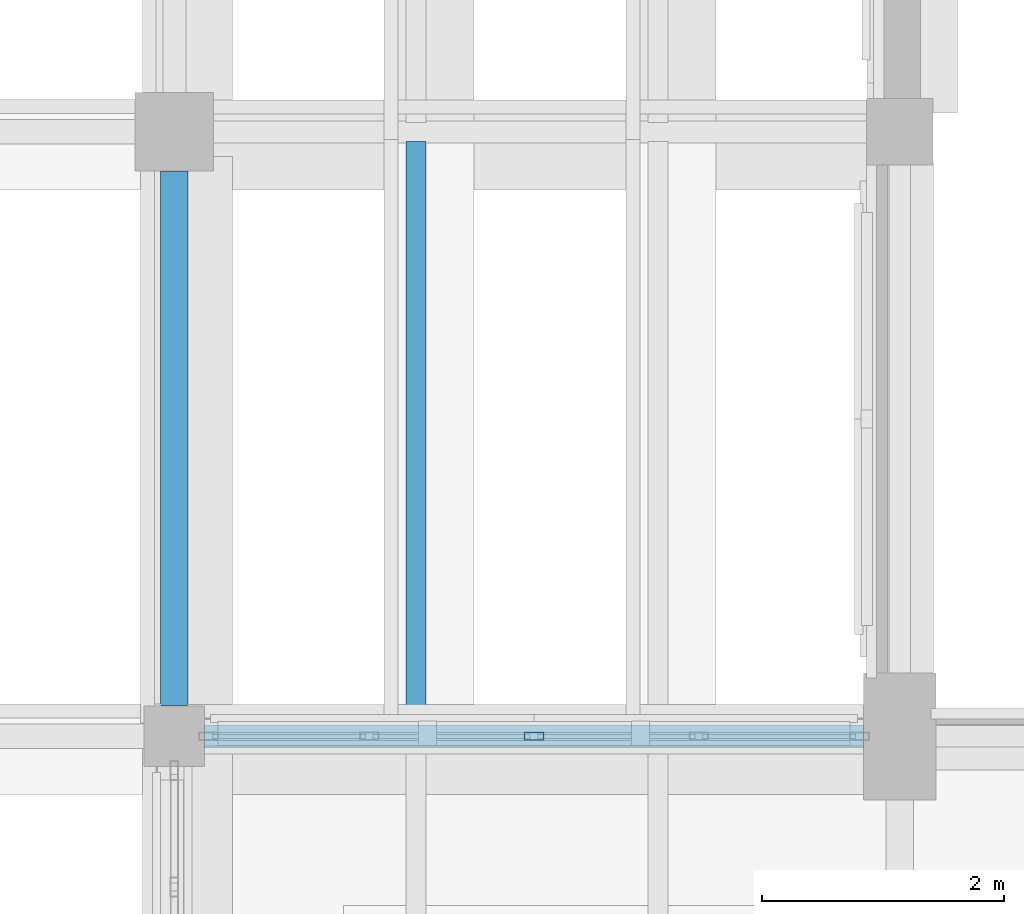
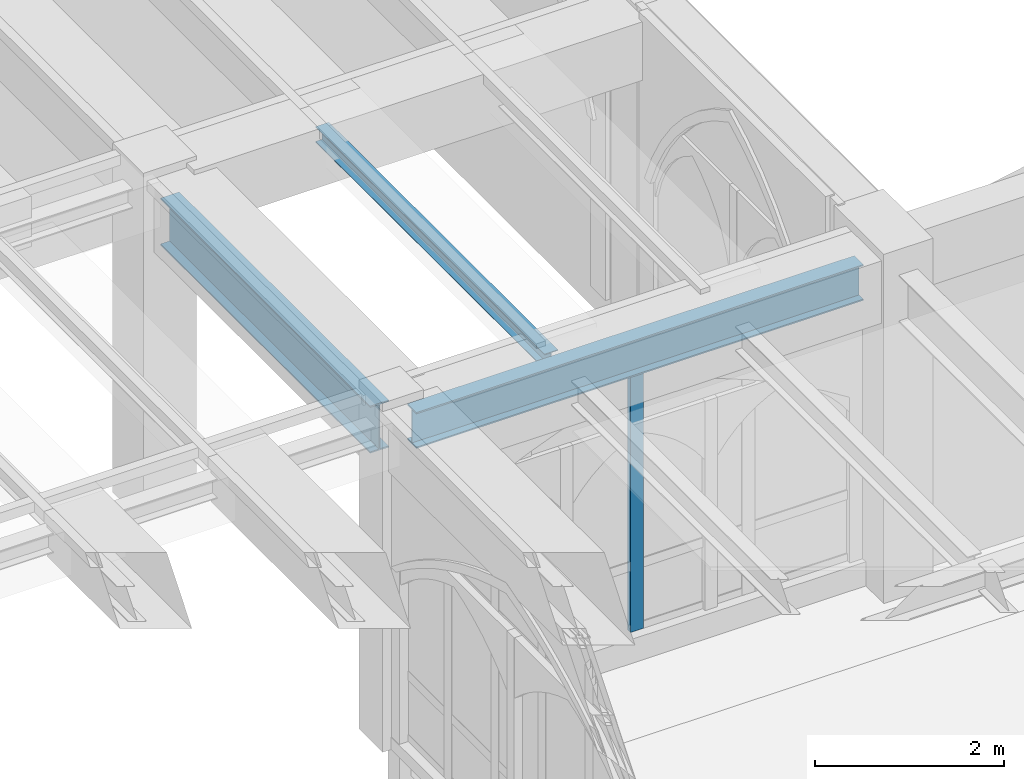
# One storey, part 34 of 127: 3 beams, 1 member, 1 element without a shape of its own.
"""IFC4 building model written with IfcOpenShell, lengths in metres."""

from ifc_helpers import new_model, si_unit, direction, frame, origin, origin_2d, place, context, subcontext, project, spatial, hollow_rectangle, i_section, extrude, material, layer, layer_set, material_profile, profile_set, type_object, element, aggregate, save


model = new_model("IFC4")

# Units and contexts
model_context = context("Model", 3, precision=1e-05, world=origin(), true_north=direction((0.0, 1.0)))
body_context = subcontext(model_context, "Body", "Model", "MODEL_VIEW")
ifc_project = project(units=[si_unit("LENGTHUNIT", "METRE"), si_unit("AREAUNIT", "SQUARE_METRE"), si_unit("VOLUMEUNIT", "CUBIC_METRE"), si_unit("PLANEANGLEUNIT", "RADIAN"), si_unit("MASSUNIT", "GRAM", prefix="KILO")], contexts=[model_context])

# Site, building, storey
site_placement = place(None, origin())
site = spatial("IfcSite", under=ifc_project, at=site_placement, CompositionType="ELEMENT")
building_placement = place(site_placement, origin())
building = spatial("IfcBuilding", under=site, at=building_placement, Name="Cumevento Cable Car Station", CompositionType="ELEMENT")
storey_placement = place(building_placement, frame((0.0, 0.0, 4.5)))
storey = spatial("IfcBuildingStorey", under=building, at=storey_placement, Name="L02", CompositionType="ELEMENT", Elevation=4.5)

# Curtain wall, member
ifc_material_1 = material(Name="Anodised Bronze Aluminium AW-6063-T6", Category="aluminium")
ifc_layer = layer(ifc_material_1, 0.22607421875)
ifc_layer_set = layer_set([ifc_layer], Name="Anodised Bronze Aluminium AW-6063-T6")
curtain_wall_type = type_object("IfcCurtainWallType", Name="Lancet Curtain Wall CW-12 1490", PredefinedType="NOTDEFINED", material=ifc_layer_set)
curtain_wall_placement = place(storey_placement, origin())
curtain_wall = element("IfcCurtainWall", 1, at=curtain_wall_placement, inside=storey, type_object=curtain_wall_type, Name="Lancet Curtain Wall CW-12 L02 #59", PredefinedType="NOTDEFINED")
ifc_material_2 = material(Name="Anodised Bronze Aluminium AW-6063-T6", Category="aluminium")
ifc_material_profile_1 = material_profile(ifc_material_2, hollow_rectangle(XDim=0.06494140625, YDim=0.159912109375, WallThickness=0.00390625, at=origin_2d()), Name="ALUM65x160x4")
ifc_profile_set_1 = profile_set([ifc_material_profile_1], Name="Anodised Bronze Aluminium AW-6063-T6")
member_type = type_object("IfcMemberType", Name="Curtain Mullion CWM-01 ALUM65x160x4", PredefinedType="MULLION", material=ifc_profile_set_1)
member_placement = place(storey_placement, frame((66.97509765625, 56.5, 0.31005859375), z_axis=(0.0, 0.0, 1.0), x_axis=(0.0, 1.0, 0.0)))
member = element("IfcMember", 2, at=member_placement, type_object=member_type, Name="CW-12 mullion 3", PredefinedType="MULLION", context=body_context, shape_type="SweptSolid", body=[
    extrude(hollow_rectangle(XDim=0.06494140625, YDim=0.159912109375, WallThickness=0.00390625, at=origin_2d()), origin(), (0.0, 0.0, 1.0), 3.3369140625),
])
aggregate(curtain_wall, [member])

# Beams
ifc_material_3 = material(Name="Steel ASTM A572 Grade 50", Category="steel")
ifc_material_profile_2 = material_profile(ifc_material_3, i_section(OverallWidth=0.22802734375, OverallDepth=0.60791015625, WebThickness=0.01123046875, FlangeThickness=0.017333984375, at=origin_2d()), Name="W610x113.0")
ifc_profile_set_2 = profile_set([ifc_material_profile_2], Name="Steel ASTM A572 Grade 50")
beam_type_1 = type_object("IfcBeamType", Name="Structural Beam BM-02 W610x113.0", PredefinedType="BEAM", material=ifc_profile_set_2)
beam_1_placement = place(storey_placement, frame((64.0, 56.75, 3.805908203125), z_axis=(0.0, 1.0, 0.0), x_axis=(-1.0, 0.0, 0.0)))
element("IfcBeam", 3, at=beam_1_placement, inside=storey, type_object=beam_type_1, Name="Beam BM-02 L02 #646", PredefinedType="BEAM", context=body_context, shape_type="SweptSolid", body=[
    extrude(i_section(OverallWidth=0.22802734375, OverallDepth=0.60791015625, WebThickness=0.01123046875, FlangeThickness=0.017333984375, at=origin_2d()), origin(), (0.0, 0.0, 1.0), 4.425048828125),
])
ifc_material_4 = material(Name="Steel ASTM A572 Grade 50", Category="steel")
ifc_material_profile_3 = material_profile(ifc_material_4, i_section(OverallWidth=0.19189453125, OverallDepth=0.462890625, WebThickness=0.010498046875, FlangeThickness=0.017578125, at=origin_2d()), Name="W460x89.0")
ifc_profile_set_3 = profile_set([ifc_material_profile_3], Name="Steel ASTM A572 Grade 50")
beam_type_2 = type_object("IfcBeamType", Name="Structural Beam BM-10 W460x89.0", PredefinedType="BEAM", material=ifc_profile_set_3)
beam_2_placement = place(storey_placement, frame((64.25, 56.5, 3.87841796875), z_axis=(1.0, 0.0, 0.0), x_axis=(0.0, 1.0, 0.0)))
element("IfcBeam", 4, at=beam_2_placement, inside=storey, type_object=beam_type_2, Name="Beam BM-10 L02 #599", PredefinedType="BEAM", context=body_context, shape_type="SweptSolid", body=[
    extrude(i_section(OverallWidth=0.19189453125, OverallDepth=0.462890625, WebThickness=0.010498046875, FlangeThickness=0.017578125, at=origin_2d()), origin(), (0.0, 0.0, 1.0), 5.449951171875),
])
ifc_material_5 = material(Name="Steel ASTM A572 Grade 50", Category="steel")
ifc_material_profile_4 = material_profile(ifc_material_5, i_section(OverallWidth=0.1650390625, OverallDepth=0.200927734375, WebThickness=0.006103515625, FlangeThickness=0.01025390625, at=origin_2d()), Name="W200x35.9")
ifc_profile_set_4 = profile_set([ifc_material_profile_4], Name="Steel ASTM A572 Grade 50")
beam_type_3 = type_object("IfcBeamType", Name="Structural Joist JS-04 W200x35.9", PredefinedType="JOIST", material=ifc_profile_set_4)
beam_3_placement = place(storey_placement, frame((66.0, 56.583984375, 4.069580078125), z_axis=(0.0, 1.0, 0.0), x_axis=(-1.0, 0.0, 0.0)))
element("IfcBeam", 5, at=beam_3_placement, inside=storey, type_object=beam_type_3, Name="Composite Floor Joist JS-04 L02 #862", PredefinedType="JOIST", context=body_context, shape_type="SweptSolid", body=[
    extrude(i_section(OverallWidth=0.1650390625, OverallDepth=0.200927734375, WebThickness=0.006103515625, FlangeThickness=0.01025390625, at=origin_2d()), origin(), (0.0, 0.0, 1.0), 4.838134765625),
])

save(model, "model.ifc")
